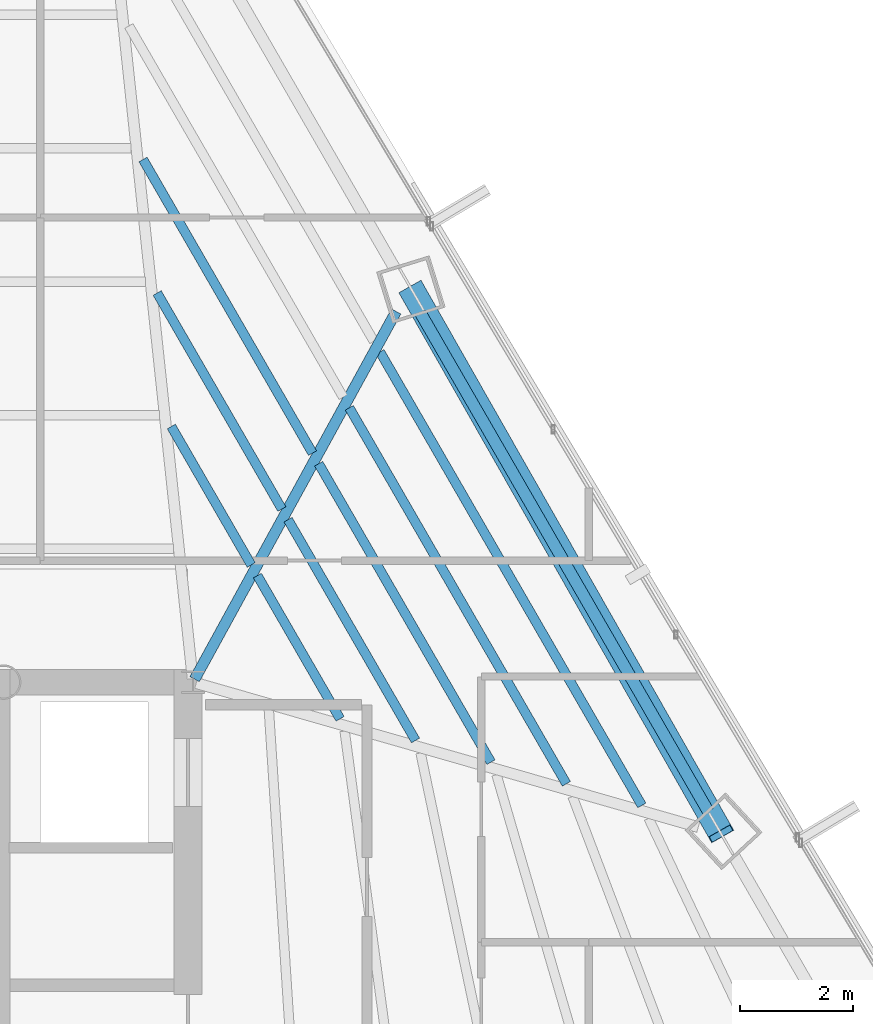
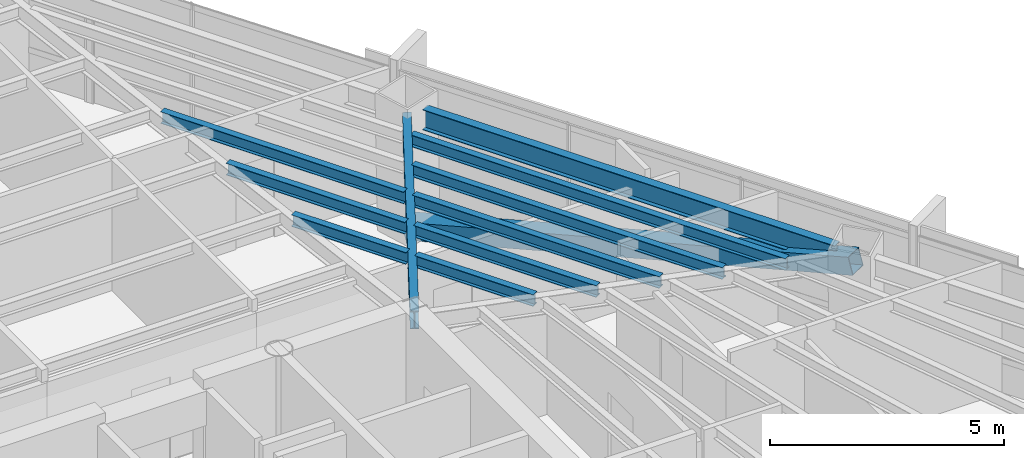
# One storey, part 24 of 41: 10 beams, 1 member.
"""IFC4 building model written with IfcOpenShell, lengths in metres."""

from ifc_helpers import new_model, si_unit, direction, frame, origin, origin_2d, place, context, subcontext, project, spatial, hollow_rectangle, i_section, extrude, source, transform, mapped, material, material_profile, profile_set, type_object, type_shapes, element, save


model = new_model("IFC4")

# Units and contexts
model_context = context("Model", 3, precision=1e-05, world=origin(), true_north=direction((0.0, 1.0)))
body_context = subcontext(model_context, "Body", "Model", "MODEL_VIEW")
ifc_project = project(units=[si_unit("LENGTHUNIT", "METRE"), si_unit("AREAUNIT", "SQUARE_METRE"), si_unit("VOLUMEUNIT", "CUBIC_METRE"), si_unit("PLANEANGLEUNIT", "RADIAN"), si_unit("MASSUNIT", "GRAM", prefix="KILO")], contexts=[model_context])

# Site, building, storey
site_placement = place(None, origin())
site = spatial("IfcSite", under=ifc_project, at=site_placement, CompositionType="ELEMENT")
building_placement = place(site_placement, origin())
building = spatial("IfcBuilding", under=site, at=building_placement, Name="Caelisora Broadcast Tower", CompositionType="ELEMENT")
storey_placement = place(building_placement, frame((0.0, 0.0, 173.10009765625)))
storey = spatial("IfcBuildingStorey", under=building, at=storey_placement, Name="L45", CompositionType="ELEMENT", Elevation=173.10009765625)

# Beams
ifc_material_1 = material(Name="Steel Grade 350 (AS/NZS 3679.1)", Category="steel")
ifc_material_profile_1 = material_profile(ifc_material_1, i_section(OverallWidth=0.208984375, OverallDepth=0.532958984375, WebThickness=0.01025390625, FlangeThickness=0.015625, at=origin_2d()), Name="Steel Grade 350 (AS/NZS 3679.1)")
ifc_profile_set_1 = profile_set([ifc_material_profile_1], Name="Steel Grade 350 (AS/NZS 3679.1)")
beam_type_1 = type_object("IfcBeamType", Name="PG05", PredefinedType="BEAM", material=ifc_profile_set_1)
shared_shape_1 = source(origin(), body_context, "Body", "SweptSolid", [
    extrude(i_section(OverallWidth=0.208984375, OverallDepth=0.532958984375, WebThickness=0.01025390625, FlangeThickness=0.015625, at=origin_2d()), origin(), (0.0, 0.0, 1.0), 10.174072265625),
])
type_shapes(beam_type_1, [shared_shape_1])
beam_1_placement = place(storey_placement, frame((54.61279296875, 27.71728515625, 3.13330078125), z_axis=(-0.50000771687, 0.866020948402, 0.0), x_axis=(-0.866020948402, -0.50000771687, 0.0)))
element("IfcBeam", 1, at=beam_1_placement, inside=storey, type_object=beam_type_1, Name="L45 beam PG05", PredefinedType="BEAM", context=body_context, shape_type="MappedRepresentation", body=[
    mapped(shared_shape_1, transform((0.0, 0.0, 0.0), scale=1.0)),
])
ifc_material_profile_2 = material_profile(ifc_material_1, i_section(OverallWidth=0.19091796875, OverallDepth=0.46044921875, WebThickness=0.010009765625, FlangeThickness=0.01611328125, at=origin_2d()), Name="Steel Grade 350 (AS/NZS 3679.1)")
ifc_profile_set_2 = profile_set([ifc_material_profile_2], Name="Steel Grade 350 (AS/NZS 3679.1)")
beam_type_2 = type_object("IfcBeamType", Name="PG06", PredefinedType="BEAM", material=ifc_profile_set_2)
shared_shape_2 = source(origin(), body_context, "Body", "SweptSolid", [
    extrude(i_section(OverallWidth=0.19091796875, OverallDepth=0.46044921875, WebThickness=0.010009765625, FlangeThickness=0.01611328125, at=origin_2d()), origin(), (0.0, 0.0, 1.0), 7.418701171875),
])
type_shapes(beam_type_2, [shared_shape_2])
beam_2_placement = place(storey_placement, frame((45.52880859375, 30.052490234375, 3.169677734375), z_axis=(0.480568975853, 0.876956931353, 0.0), x_axis=(-0.876956931353, 0.480568975853, 0.0)))
element("IfcBeam", 2, at=beam_2_placement, inside=storey, type_object=beam_type_2, Name="L45 beam PG06", PredefinedType="BEAM", context=body_context, shape_type="MappedRepresentation", body=[
    mapped(shared_shape_2, transform((0.0, 0.0, 0.0), scale=1.0)),
])
ifc_material_profile_3 = material_profile(ifc_material_1, i_section(OverallWidth=0.166015625, OverallDepth=0.30712890625, WebThickness=0.006591796875, FlangeThickness=0.01171875, at=origin_2d()), Name="Steel Grade 350 (AS/NZS 3679.1)")
ifc_profile_set_3 = profile_set([ifc_material_profile_3], Name="Steel Grade 350 (AS/NZS 3679.1)")
beam_type_3 = type_object("IfcBeamType", Name="SB03", PredefinedType="JOIST", material=ifc_profile_set_3)
shared_shape_3 = source(origin(), body_context, "Body", "SweptSolid", [
    extrude(i_section(OverallWidth=0.166015625, OverallDepth=0.30712890625, WebThickness=0.006591796875, FlangeThickness=0.01171875, at=origin_2d()), origin(), (0.0, 0.0, 1.0), 2.828857421875),
])
beam_3_placement = place(storey_placement, frame((46.530029296875, 32.0732421875, 3.246337890625), z_axis=(-0.499954046029, 0.866051933696, 0.0), x_axis=(-0.866051933696, -0.499954046029, 0.0)))
element("IfcBeam", 3, at=beam_3_placement, inside=storey, type_object=beam_type_3, Name="L45 beam SB03", PredefinedType="JOIST", context=body_context, shape_type="MappedRepresentation", body=[
    mapped(shared_shape_3, transform((0.0, 0.0, 0.0), scale=1.0)),
])
shared_shape_4 = source(origin(), body_context, "Body", "SweptSolid", [
    extrude(i_section(OverallWidth=0.166015625, OverallDepth=0.30712890625, WebThickness=0.006591796875, FlangeThickness=0.01171875, at=origin_2d()), origin(), (0.0, 0.0, 1.0), 4.41357421875),
])
beam_4_placement = place(storey_placement, frame((47.072509765625, 33.062744140625, 3.246337890625), z_axis=(-0.50004165882, 0.866001350717, 0.0), x_axis=(-0.866001350717, -0.50004165882, 0.0)))
element("IfcBeam", 4, at=beam_4_placement, inside=storey, type_object=beam_type_3, Name="L45 beam SB03", PredefinedType="JOIST", context=body_context, shape_type="MappedRepresentation", body=[
    mapped(shared_shape_4, transform((0.0, 0.0, 0.0), scale=1.0)),
])
shared_shape_5 = source(origin(), body_context, "Body", "SweptSolid", [
    extrude(i_section(OverallWidth=0.166015625, OverallDepth=0.30712890625, WebThickness=0.006591796875, FlangeThickness=0.01171875, at=origin_2d()), origin(), (0.0, 0.0, 1.0), 5.99853515625),
])
beam_5_placement = place(storey_placement, frame((47.614501953125, 34.05224609375, 3.246337890625), z_axis=(-0.49995615415, 0.866050716718, 0.0), x_axis=(-0.866050716718, -0.49995615415, 0.0)))
element("IfcBeam", 5, at=beam_5_placement, inside=storey, type_object=beam_type_3, Name="L45 beam SB03", PredefinedType="JOIST", context=body_context, shape_type="MappedRepresentation", body=[
    mapped(shared_shape_5, transform((0.0, 0.0, 0.0), scale=1.0)),
])
shared_shape_6 = source(origin(), body_context, "Body", "SweptSolid", [
    extrude(i_section(OverallWidth=0.166015625, OverallDepth=0.30712890625, WebThickness=0.006591796875, FlangeThickness=0.01171875, at=origin_2d()), origin(), (0.0, 0.0, 1.0), 2.926513671875),
])
beam_6_placement = place(storey_placement, frame((48.10205078125, 29.3505859375, 3.246337890625), z_axis=(-0.499970395392, 0.866042495338, 0.0), x_axis=(-0.866042495338, -0.499970395392, 0.0)))
element("IfcBeam", 6, at=beam_6_placement, inside=storey, type_object=beam_type_3, Name="L45 beam SB03", PredefinedType="JOIST", context=body_context, shape_type="MappedRepresentation", body=[
    mapped(shared_shape_6, transform((0.0, 0.0, 0.0), scale=1.0)),
])
shared_shape_7 = source(origin(), body_context, "Body", "SweptSolid", [
    extrude(i_section(OverallWidth=0.166015625, OverallDepth=0.30712890625, WebThickness=0.006591796875, FlangeThickness=0.01171875, at=origin_2d()), origin(), (0.0, 0.0, 1.0), 4.511474609375),
])
beam_7_placement = place(storey_placement, frame((49.436767578125, 28.967529296875, 3.246337890625), z_axis=(-0.499986347947, 0.866033285658, 0.0), x_axis=(-0.866033285658, -0.499986347947, 0.0)))
element("IfcBeam", 7, at=beam_7_placement, inside=storey, type_object=beam_type_3, Name="L45 beam SB03", PredefinedType="JOIST", context=body_context, shape_type="MappedRepresentation", body=[
    mapped(shared_shape_7, transform((0.0, 0.0, 0.0), scale=1.0)),
])
shared_shape_8 = source(origin(), body_context, "Body", "SweptSolid", [
    extrude(i_section(OverallWidth=0.166015625, OverallDepth=0.30712890625, WebThickness=0.006591796875, FlangeThickness=0.01171875, at=origin_2d()), origin(), (0.0, 0.0, 1.0), 6.09619140625),
])
beam_8_placement = place(storey_placement, frame((50.771484375, 28.58447265625, 3.246337890625), z_axis=(-0.49999400573, 0.86602886455, 0.0), x_axis=(-0.86602886455, -0.49999400573, 0.0)))
element("IfcBeam", 8, at=beam_8_placement, inside=storey, type_object=beam_type_3, Name="L45 beam SB03", PredefinedType="JOIST", context=body_context, shape_type="MappedRepresentation", body=[
    mapped(shared_shape_8, transform((0.0, 0.0, 0.0), scale=1.0)),
])
shared_shape_9 = source(origin(), body_context, "Body", "SweptSolid", [
    extrude(i_section(OverallWidth=0.166015625, OverallDepth=0.30712890625, WebThickness=0.006591796875, FlangeThickness=0.01171875, at=origin_2d()), origin(), (0.0, 0.0, 1.0), 7.68115234375),
])
beam_9_placement = place(storey_placement, frame((52.106201171875, 28.201416015625, 3.246337890625), z_axis=(-0.499998503327, 0.866026267888, 0.0), x_axis=(-0.866026267888, -0.499998503327, 0.0)))
element("IfcBeam", 9, at=beam_9_placement, inside=storey, type_object=beam_type_3, Name="L45 beam SB03", PredefinedType="JOIST", context=body_context, shape_type="MappedRepresentation", body=[
    mapped(shared_shape_9, transform((0.0, 0.0, 0.0), scale=1.0)),
])
shared_shape_10 = source(origin(), body_context, "Body", "SweptSolid", [
    extrude(i_section(OverallWidth=0.166015625, OverallDepth=0.30712890625, WebThickness=0.006591796875, FlangeThickness=0.01171875, at=origin_2d()), origin(), (0.0, 0.0, 1.0), 9.265869140625),
])
type_shapes(beam_type_3, [shared_shape_3, shared_shape_4, shared_shape_5, shared_shape_6, shared_shape_7, shared_shape_8, shared_shape_9, shared_shape_10])
beam_10_placement = place(storey_placement, frame((53.44091796875, 27.818603515625, 3.246337890625), z_axis=(-0.500012871494, 0.866017972296, 0.0), x_axis=(-0.866017972296, -0.500012871494, 0.0)))
element("IfcBeam", 10, at=beam_10_placement, inside=storey, type_object=beam_type_3, Name="L45 beam SB03", PredefinedType="JOIST", context=body_context, shape_type="MappedRepresentation", body=[
    mapped(shared_shape_10, transform((0.0, 0.0, 0.0), scale=1.0)),
])

# Member
ifc_material_2 = material(Name="Steel Grade 450 (AS/NZS 1163 C450L0)", Category="steel")
ifc_material_profile_4 = material_profile(ifc_material_2, hollow_rectangle(XDim=0.449951171875, YDim=0.449951171875, WallThickness=0.01611328125, at=origin_2d()), Name="Steel Grade 450 (AS/NZS 1163 C450L0)")
ifc_profile_set_4 = profile_set([ifc_material_profile_4], Name="Steel Grade 450 (AS/NZS 1163 C450L0)")
member_type = type_object("IfcMemberType", Name="BR03", PredefinedType="BRACE", material=ifc_profile_set_4)
shared_shape_11 = source(origin(), body_context, "Body", "SweptSolid", [
    extrude(hollow_rectangle(XDim=0.449951171875, YDim=0.449951171875, WallThickness=0.01611328125, at=origin_2d()), origin(), (0.0, 0.0, 1.0), 11.47705078125),
])
type_shapes(member_type, [shared_shape_11])
member_placement = place(storey_placement, frame((54.8427734375, 27.319091796875, 3.099853515625), z_axis=(-0.477158670933, 0.839042818315, -0.261393863333), x_axis=(-0.869265236456, -0.494345980756, 0.0)))
element("IfcMember", 11, at=member_placement, inside=storey, type_object=member_type, Name="L45 perimeter brace BR03", PredefinedType="BRACE", context=body_context, shape_type="MappedRepresentation", body=[
    mapped(shared_shape_11, transform((0.0, 0.0, 0.0), scale=1.0)),
])

save(model, "model.ifc")
